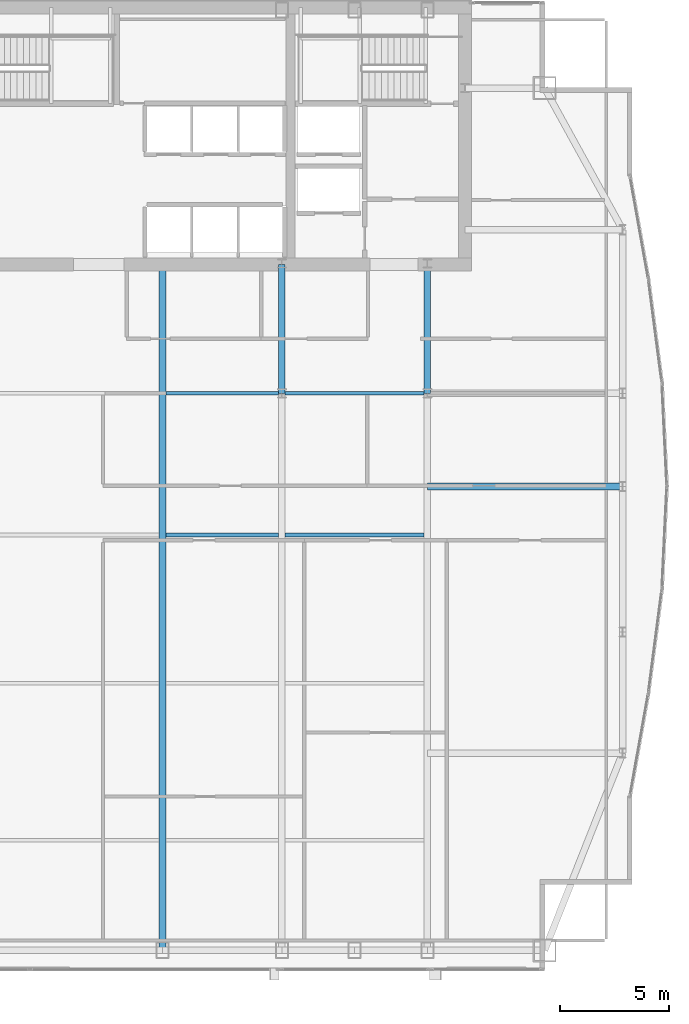
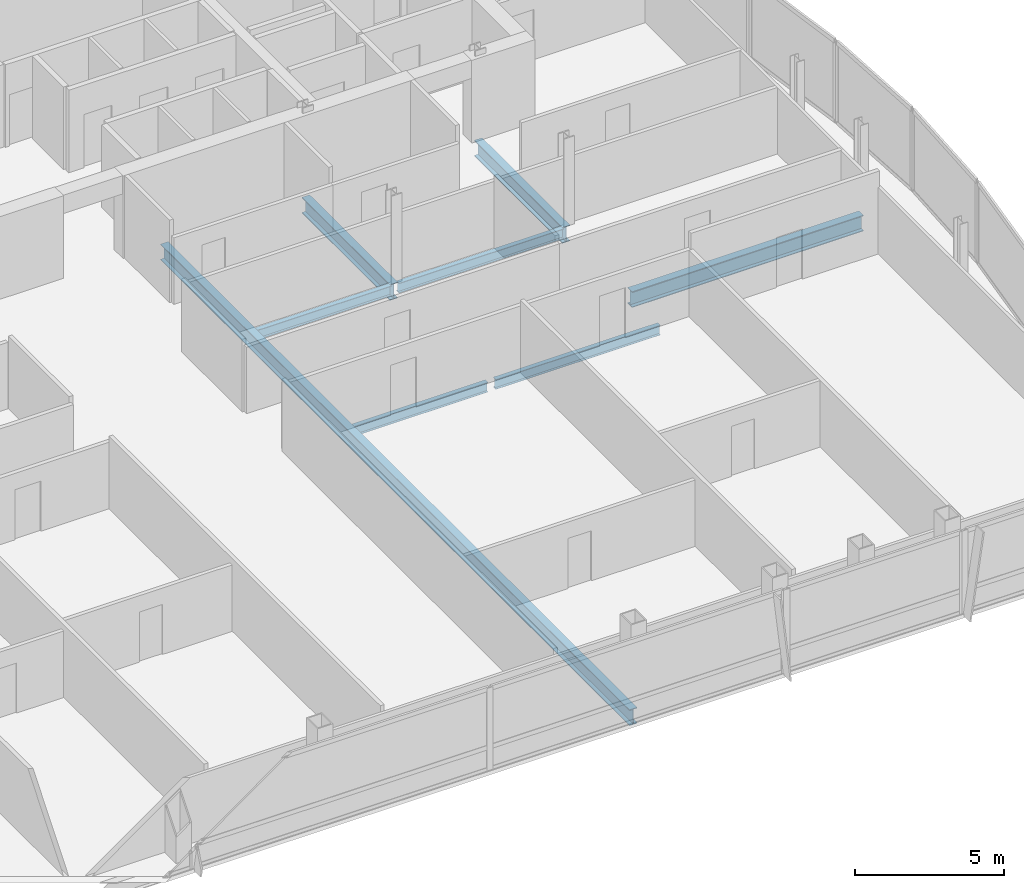
# One storey, part 17 of 30: 8 beams.
"""IFC4 building model written with IfcOpenShell, lengths in metres."""

from ifc_helpers import new_model, si_unit, direction, frame, origin, origin_2d, place, context, subcontext, project, spatial, i_section, extrude, material, material_profile, profile_set, type_object, element, save


model = new_model("IFC4")

# Units and contexts
model_context = context("Model", 3, precision=1e-05, world=origin(), true_north=direction((0.0, 1.0)))
body_context = subcontext(model_context, "Body", "Model", "MODEL_VIEW")
ifc_project = project(units=[si_unit("LENGTHUNIT", "METRE"), si_unit("AREAUNIT", "SQUARE_METRE"), si_unit("VOLUMEUNIT", "CUBIC_METRE"), si_unit("PLANEANGLEUNIT", "RADIAN"), si_unit("MASSUNIT", "GRAM", prefix="KILO")], contexts=[model_context])

# Site, building, storey
site_placement = place(None, origin())
site = spatial("IfcSite", under=ifc_project, at=site_placement, CompositionType="ELEMENT")
building_placement = place(site_placement, origin())
building = spatial("IfcBuilding", under=site, at=building_placement, Name="Khoronbel Lancet Exchange", CompositionType="ELEMENT")
storey_placement = place(building_placement, frame((0.0, 0.0, 253.39990234375)))
storey = spatial("IfcBuildingStorey", under=building, at=storey_placement, Name="L65", CompositionType="ELEMENT", Elevation=253.39990234375)

# Beams
ifc_material = material(Name="Steel S355", Category="steel")
ifc_material_profile_1 = material_profile(ifc_material, i_section(OverallWidth=0.300048828125, OverallDepth=0.64990234375, WebThickness=0.01611328125, FlangeThickness=0.031005859375, at=origin_2d()), Name="HEB 650")
ifc_profile_set_1 = profile_set([ifc_material_profile_1], Name="Steel S355")
beam_type_1 = type_object("IfcBeamType", Name="BM-BG4", PredefinedType="BEAM", material=ifc_profile_set_1)
beam_1_placement = place(storey_placement, frame((42.52490234375, 10.14990234375, -0.48486328125), z_axis=(0.0, 1.0, 0.0), x_axis=(-1.0, 0.0, 0.0)))
element("IfcBeam", 1, at=beam_1_placement, inside=storey, type_object=beam_type_1, Name="Level L65 primary floor girder G4", PredefinedType="BEAM", context=body_context, shape_type="SweptSolid", body=[
    extrude(i_section(OverallWidth=0.300048828125, OverallDepth=0.64990234375, WebThickness=0.01611328125, FlangeThickness=0.031005859375, at=origin_2d()), origin(), (0.0, 0.0, 1.0), 31.4501953125),
])
for number, where, z_axis, x_axis, name in (
    (2, (48.0, 35.699951171875, -0.48486328125), (0.0, 1.0, 0.0), (-1.0, 0.0, 0.0), "Level L65 spine tie girder GN5"),
    (3, (54.675048828125, 35.699951171875, -0.48486328125), (0.0, 1.0, 0.0), (-1.0, 0.0, 0.0), "Level L65 spine tie girder GN6"),
):
    element("IfcBeam", number, at=place(storey_placement, frame(where, z_axis=z_axis, x_axis=x_axis)), inside=storey, type_object=beam_type_1, Name=name, PredefinedType="BEAM", context=body_context, shape_type="SweptSolid", body=[
        extrude(i_section(OverallWidth=0.300048828125, OverallDepth=0.64990234375, WebThickness=0.01611328125, FlangeThickness=0.031005859375, at=origin_2d()), origin(), (0.0, 0.0, 1.0), 5.900146484375),
    ])
beam_2_placement = place(storey_placement, frame((54.675048828125, 31.425048828125, -0.48486328125), z_axis=(1.0, 0.0, 0.0), x_axis=(0.0, 1.0, 0.0)))
element("IfcBeam", 4, at=beam_2_placement, inside=storey, type_object=beam_type_1, Name="Level L65 east lens tie girder LG2E", PredefinedType="BEAM", context=body_context, shape_type="SweptSolid", body=[
    extrude(i_section(OverallWidth=0.300048828125, OverallDepth=0.64990234375, WebThickness=0.01611328125, FlangeThickness=0.031005859375, at=origin_2d()), origin(), (0.0, 0.0, 1.0), 8.954833984375),
])
ifc_material_profile_2 = material_profile(ifc_material, i_section(OverallWidth=0.179931640625, OverallDepth=0.39990234375, WebThickness=0.008544921875, FlangeThickness=0.013427734375, at=origin_2d()), Name="IPE 400")
ifc_profile_set_2 = profile_set([ifc_material_profile_2], Name="Steel S355")
beam_type_2 = type_object("IfcBeamType", Name="BM-BJ5", PredefinedType="JOIST", material=ifc_profile_set_2)
beam_3_placement = place(storey_placement, frame((42.675048828125, 29.199951171875, -0.35986328125), z_axis=(1.0, 0.0, 0.0), x_axis=(0.0, 1.0, 0.0)))
element("IfcBeam", 5, at=beam_3_placement, inside=storey, type_object=beam_type_2, Name="Level L65 secondary composite joist J14", PredefinedType="JOIST", context=body_context, shape_type="SweptSolid", body=[
    extrude(i_section(OverallWidth=0.179931640625, OverallDepth=0.39990234375, WebThickness=0.008544921875, FlangeThickness=0.013427734375, at=origin_2d()), origin(), (0.0, 0.0, 1.0), 5.175048828125),
])
beam_4_placement = place(storey_placement, frame((48.14990234375, 29.199951171875, -0.35986328125), z_axis=(1.0, 0.0, 0.0), x_axis=(0.0, 1.0, 0.0)))
element("IfcBeam", 6, at=beam_4_placement, inside=storey, type_object=beam_type_2, Name="Level L65 secondary composite joist J15", PredefinedType="JOIST", context=body_context, shape_type="SweptSolid", body=[
    extrude(i_section(OverallWidth=0.179931640625, OverallDepth=0.39990234375, WebThickness=0.008544921875, FlangeThickness=0.013427734375, at=origin_2d()), origin(), (0.0, 0.0, 1.0), 6.375),
])
beam_5_placement = place(storey_placement, frame((42.675048828125, 35.699951171875, -0.35986328125), z_axis=(1.0, 0.0, 0.0), x_axis=(0.0, 1.0, 0.0)))
element("IfcBeam", 7, at=beam_5_placement, inside=storey, type_object=beam_type_2, Name="Level L65 secondary composite joist J19", PredefinedType="JOIST", context=body_context, shape_type="SweptSolid", body=[
    extrude(i_section(OverallWidth=0.179931640625, OverallDepth=0.39990234375, WebThickness=0.008544921875, FlangeThickness=0.013427734375, at=origin_2d()), origin(), (0.0, 0.0, 1.0), 5.175048828125),
])
beam_6_placement = place(storey_placement, frame((48.14990234375, 35.699951171875, -0.35986328125), z_axis=(1.0, 0.0, 0.0), x_axis=(0.0, 1.0, 0.0)))
element("IfcBeam", 8, at=beam_6_placement, inside=storey, type_object=beam_type_2, Name="Level L65 secondary composite joist J20", PredefinedType="JOIST", context=body_context, shape_type="SweptSolid", body=[
    extrude(i_section(OverallWidth=0.179931640625, OverallDepth=0.39990234375, WebThickness=0.008544921875, FlangeThickness=0.013427734375, at=origin_2d()), origin(), (0.0, 0.0, 1.0), 6.375),
])

save(model, "model.ifc")
